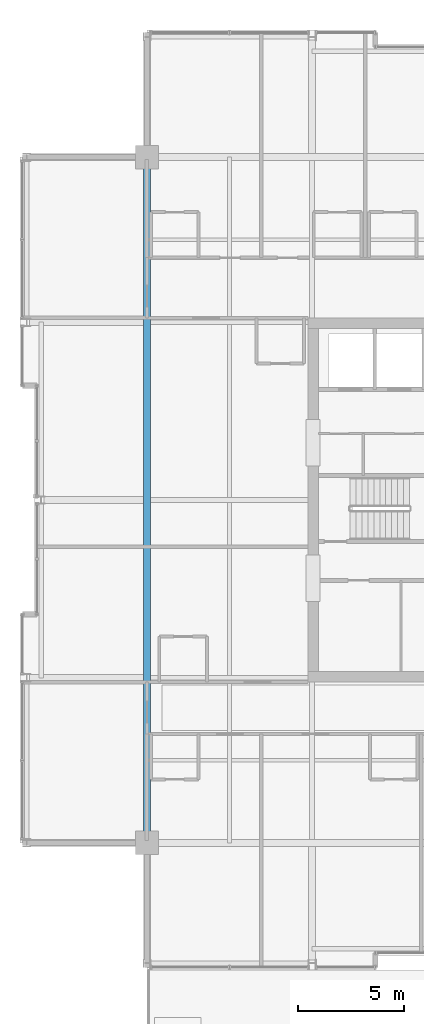
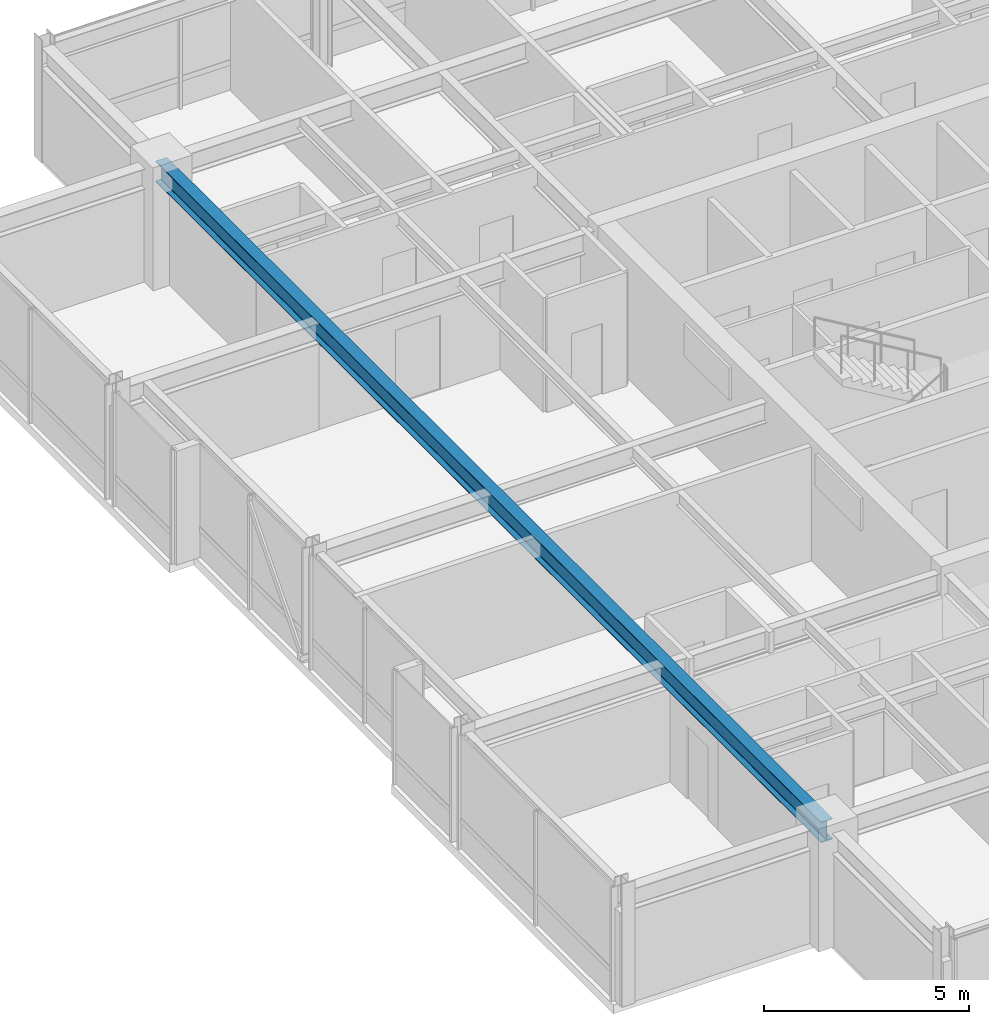
# One storey, part 9 of 32: 1 beam.
"""IFC4 building model written with IfcOpenShell, lengths in metres."""

from ifc_helpers import new_model, si_unit, direction, frame, origin, origin_2d, place, context, subcontext, project, spatial, i_section, extrude, material, material_profile, profile_set, type_object, element, save


model = new_model("IFC4")

# Units and contexts
model_context = context("Model", 3, precision=1e-05, world=origin(), true_north=direction((0.0, 1.0)))
body_context = subcontext(model_context, "Body", "Model", "MODEL_VIEW")
ifc_project = project(units=[si_unit("LENGTHUNIT", "METRE"), si_unit("AREAUNIT", "SQUARE_METRE"), si_unit("VOLUMEUNIT", "CUBIC_METRE"), si_unit("PLANEANGLEUNIT", "RADIAN"), si_unit("MASSUNIT", "GRAM", prefix="KILO")], contexts=[model_context])

# Site, building, storey
site_placement = place(None, origin())
site = spatial("IfcSite", under=ifc_project, at=site_placement, CompositionType="ELEMENT")
building_placement = place(site_placement, origin())
building = spatial("IfcBuilding", under=site, at=building_placement, Name="Drelvath Grand Hotel", CompositionType="ELEMENT")
storey_placement = place(building_placement, frame((0.0, 0.0, 265.0)))
storey = spatial("IfcBuildingStorey", under=building, at=storey_placement, Name="L69", CompositionType="ELEMENT", Elevation=265.0)

# Beam
ifc_material = material(Name="Steel ASTM A992 Gr 50", Category="steel")
ifc_material_profile = material_profile(ifc_material, i_section(OverallWidth=0.323974609375, OverallDepth=0.611083984375, WebThickness=0.0126953125, FlangeThickness=0.01904296875, FilletRadius=0.02197265625, at=origin_2d()), Name="W24X104")
ifc_profile_set = profile_set([ifc_material_profile], Name="Steel ASTM A992 Gr 50")
beam_type = type_object("IfcBeamType", Name="Primary Floor Girder W24X104", PredefinedType="BEAM", material=ifc_profile_set)
beam_placement = place(storey_placement, frame((-16.199951171875, 10.800048828125, 3.08447265625), z_axis=(0.0, 1.0, 0.0), x_axis=(-1.0, 0.0, 0.0)))
element("IfcBeam", 1, at=beam_placement, inside=storey, type_object=beam_type, Name="L69 Mega Ring Girder West", PredefinedType="BEAM", context=body_context, shape_type="SweptSolid", body=[
    extrude(i_section(OverallWidth=0.323974609375, OverallDepth=0.611083984375, WebThickness=0.0126953125, FlangeThickness=0.01904296875, FilletRadius=0.02197265625, at=origin_2d()), origin(), (0.0, 0.0, 1.0), 32.39990234375),
])

save(model, "model.ifc")
